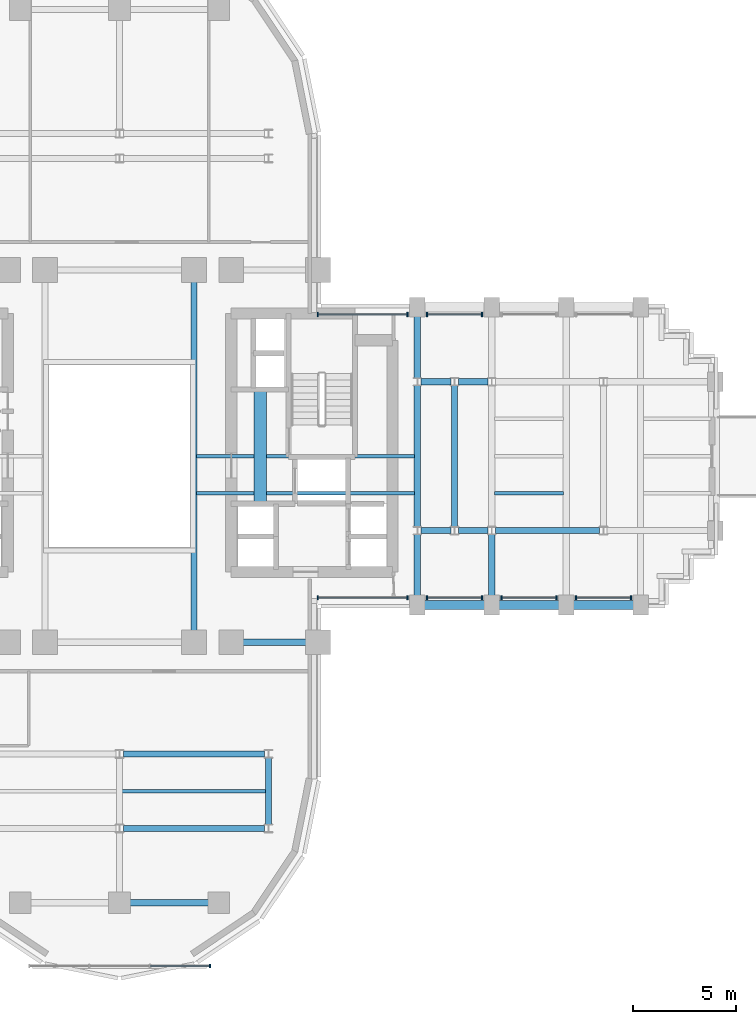
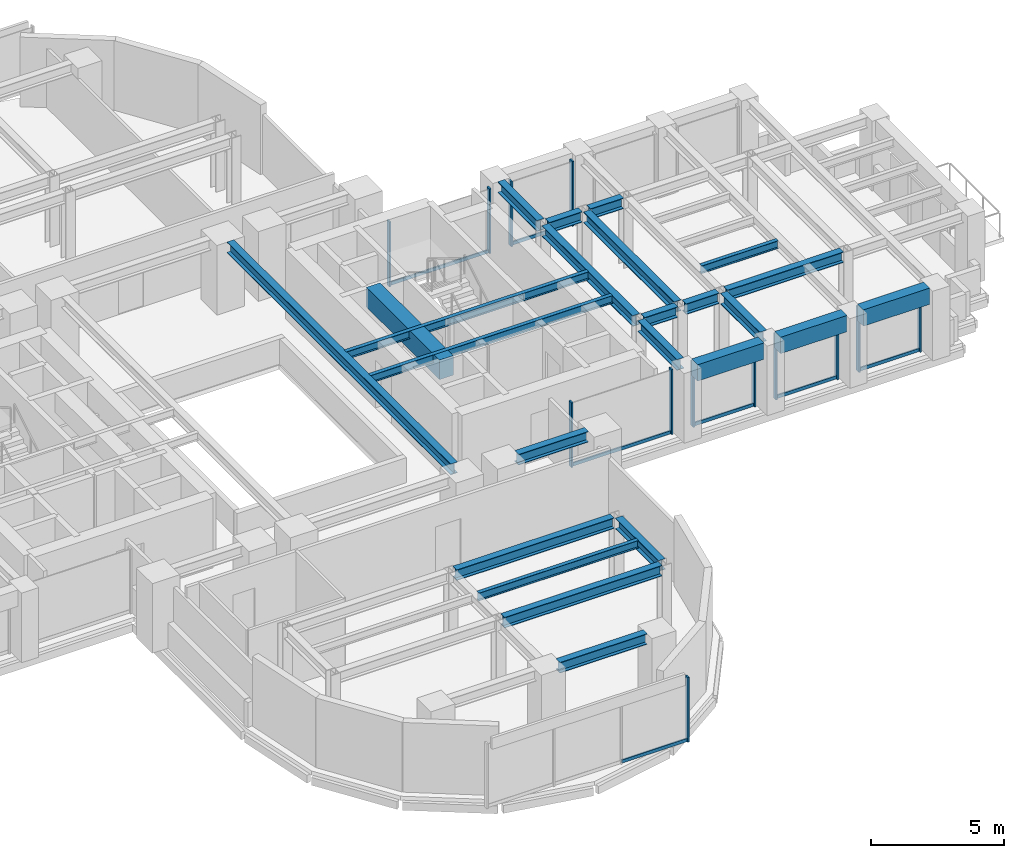
# One storey, part 5 of 15: 24 beams, 20 members, 7 elements without a shape of their own.
"""IFC4 building model written with IfcOpenShell, lengths in metres."""

from ifc_helpers import new_model, si_unit, direction, frame, origin, origin_2d, place, context, subcontext, project, spatial, rectangle, i_section, extrude, source, transform, mapped, material, material_profile, profile_set, type_object, element, aggregate, save


model = new_model("IFC4")

# Units and contexts
model_context = context("Model", 3, precision=1e-05, world=origin(), true_north=direction((0.0, 1.0)))
body_context = subcontext(model_context, "Body", "Model", "MODEL_VIEW")
ifc_project = project(units=[si_unit("LENGTHUNIT", "METRE"), si_unit("AREAUNIT", "SQUARE_METRE"), si_unit("VOLUMEUNIT", "CUBIC_METRE"), si_unit("PLANEANGLEUNIT", "RADIAN"), si_unit("MASSUNIT", "GRAM", prefix="KILO")], contexts=[model_context])

# Site, building, storey
site_placement = place(None, origin())
site = spatial("IfcSite", under=ifc_project, at=site_placement, CompositionType="ELEMENT")
building_placement = place(site_placement, origin())
building = spatial("IfcBuilding", under=site, at=building_placement, Name="Keilestroom Media Tower", CompositionType="ELEMENT")
storey_placement = place(building_placement, frame((0.0, 0.0, 47.60009765625)))
storey = spatial("IfcBuildingStorey", under=building, at=storey_placement, Name="L11", CompositionType="ELEMENT", Elevation=47.60009765625)

# Beams
ifc_material_1 = material(Name="Concrete C70/85", Category="concrete")
ifc_material_profile_1 = material_profile(ifc_material_1, rectangle(XDim=0.60009765625, YDim=0.89990234375, at=origin_2d()), Name="RC 600x900")
ifc_profile_set_1 = profile_set([ifc_material_profile_1], Name="Concrete C70/85")
beam_type_1 = type_object("IfcBeamType", Name="Core-Coupling-Lintel-Beam-RC-600x900", PredefinedType="LINTEL", material=ifc_profile_set_1)
shared_shape_1 = source(origin(), body_context, "Body", "SweptSolid", [
    extrude(rectangle(XDim=0.60009765625, YDim=0.89990234375, at=origin_2d()), origin(), (0.0, 0.0, 1.0), 5.52001953125),
])
beam_1_placement = place(storey_placement, frame((6.800048828125, -2.300048828125, 2.75), z_axis=(0.0, 1.0, 0.0), x_axis=(-1.0, 0.0, 0.0)))
element("IfcBeam", 1, at=beam_1_placement, inside=storey, type_object=beam_type_1, Name="L11 Beam CLB-1 CLB-L11-E", PredefinedType="LINTEL", context=body_context, shape_type="MappedRepresentation", body=[
    mapped(shared_shape_1, transform((0.0, 0.0, 0.0), x_axis=(1.0, 0.0, 0.0), y_axis=(0.0, 1.0, 0.0), z_axis=(0.0, 0.0, 1.0), scale=1.0)),
])
ifc_material_2 = material(Name="Precast concrete C40/50", Category="concrete")
ifc_material_profile_2 = material_profile(ifc_material_2, rectangle(XDim=0.449951171875, YDim=0.75, at=origin_2d()), Name="PC 450x750")
ifc_profile_set_2 = profile_set([ifc_material_profile_2], Name="Precast concrete C40/50")
beam_type_2 = type_object("IfcBeamType", Name="Perimeter-Spandrel-Beam-PC-450x750", PredefinedType="SPANDREL", material=ifc_profile_set_2)
shared_shape_2 = source(origin(), body_context, "Body", "SweptSolid", [
    extrude(rectangle(XDim=0.449951171875, YDim=0.75, at=origin_2d()), origin(), (0.0, 0.0, 1.0), 2.889892578125),
])
beam_2_placement = place(storey_placement, frame((21.955078125, -7.199951171875, 2.824951171875), z_axis=(1.0, 0.0, 0.0), x_axis=(0.0, 1.0, 0.0)))
element("IfcBeam", 2, at=beam_2_placement, inside=storey, type_object=beam_type_2, Name="L11 Beam SPB-1 BM-L11-EW-017", PredefinedType="SPANDREL", context=body_context, shape_type="MappedRepresentation", body=[
    mapped(shared_shape_2, transform((0.0, 0.0, 0.0), x_axis=(1.0, 0.0, 0.0), y_axis=(0.0, 1.0, 0.0), z_axis=(0.0, 0.0, 1.0), scale=1.0)),
])
shared_shape_3 = source(origin(), body_context, "Body", "SweptSolid", [
    extrude(rectangle(XDim=0.449951171875, YDim=0.75, at=origin_2d()), origin(), (0.0, 0.0, 1.0), 2.89013671875),
])
for number, where, z_axis, x_axis, name in (
    (3, (14.7548828125, -7.199951171875, 2.824951171875), (1.0, 0.0, 0.0), (0.0, 1.0, 0.0), "L11 Beam SPB-1 BM-L11-EW-015"),
    (4, (18.35498046875, -7.199951171875, 2.824951171875), (1.0, 0.0, 0.0), (0.0, 1.0, 0.0), "L11 Beam SPB-1 BM-L11-EW-016"),
):
    element("IfcBeam", number, at=place(storey_placement, frame(where, z_axis=z_axis, x_axis=x_axis)), inside=storey, type_object=beam_type_2, Name=name, PredefinedType="SPANDREL", context=body_context, shape_type="MappedRepresentation", body=[
        mapped(shared_shape_3, transform((0.0, 0.0, 0.0), x_axis=(1.0, 0.0, 0.0), y_axis=(0.0, 1.0, 0.0), z_axis=(0.0, 0.0, 1.0), scale=1.0)),
    ])
ifc_material_3 = material(Name="Steel S355", Category="steel")
ifc_material_profile_3 = material_profile(ifc_material_3, i_section(OverallWidth=0.300048828125, OverallDepth=0.5, WebThickness=0.012451171875, FlangeThickness=0.028076171875, at=origin_2d()), Name="HEB 500")
ifc_profile_set_3 = profile_set([ifc_material_profile_3], Name="Steel S355")
beam_type_3 = type_object("IfcBeamType", Name="Primary-Structural-Girder-HEB-500", PredefinedType="BEAM", material=ifc_profile_set_3)
shared_shape_4 = source(origin(), body_context, "Body", "SweptSolid", [
    extrude(i_section(OverallWidth=0.300048828125, OverallDepth=0.5, WebThickness=0.012451171875, FlangeThickness=0.028076171875, at=origin_2d()), origin(), (0.0, 0.0, 1.0), 6.8330078125),
])
for number, where, z_axis, x_axis, name in (
    (5, (14.39990234375, -3.41650390625, 2.949951171875), (0.0, 1.0, 0.0), (-1.0, 0.0, 0.0), "L11 Beam BG-6 BM-L11-NS-077"),
    (6, (16.199951171875, -3.41650390625, 2.949951171875), (0.0, 1.0, 0.0), (-1.0, 0.0, 0.0), "L11 Beam BG-6 BM-L11-NS-079"),
):
    element("IfcBeam", number, at=place(storey_placement, frame(where, z_axis=z_axis, x_axis=x_axis)), inside=storey, type_object=beam_type_3, Name=name, PredefinedType="BEAM", context=body_context, shape_type="MappedRepresentation", body=[
        mapped(shared_shape_4, transform((0.0, 0.0, 0.0), x_axis=(1.0, 0.0, 0.0), y_axis=(0.0, 1.0, 0.0), z_axis=(0.0, 0.0, 1.0), scale=1.0)),
    ])
shared_shape_5 = source(origin(), body_context, "Body", "SweptSolid", [
    extrude(i_section(OverallWidth=0.300048828125, OverallDepth=0.5, WebThickness=0.012451171875, FlangeThickness=0.028076171875, at=origin_2d()), origin(), (0.0, 0.0, 1.0), 2.961669921875),
])
for number, where, z_axis, x_axis, name in (
    (7, (14.39990234375, -6.7451171875, 2.949951171875), (0.0, 1.0, 0.0), (-1.0, 0.0, 0.0), "L11 Beam BG-6 BM-L11-NS-076"),
    (8, (14.39990234375, 3.783447265625, 2.949951171875), (0.0, 1.0, 0.0), (-1.0, 0.0, 0.0), "L11 Beam BG-6 BM-L11-NS-078"),
    (9, (18.0, -6.7451171875, 2.949951171875), (0.0, 1.0, 0.0), (-1.0, 0.0, 0.0), "L11 Beam BG-6 BM-L11-NS-080"),
):
    element("IfcBeam", number, at=place(storey_placement, frame(where, z_axis=z_axis, x_axis=x_axis)), inside=storey, type_object=beam_type_3, Name=name, PredefinedType="BEAM", context=body_context, shape_type="MappedRepresentation", body=[
        mapped(shared_shape_5, transform((0.0, 0.0, 0.0), x_axis=(1.0, 0.0, 0.0), y_axis=(0.0, 1.0, 0.0), z_axis=(0.0, 0.0, 1.0), scale=1.0)),
    ])
shared_shape_6 = source(origin(), body_context, "Body", "SweptSolid", [
    extrude(i_section(OverallWidth=0.300048828125, OverallDepth=0.5, WebThickness=0.012451171875, FlangeThickness=0.028076171875, at=origin_2d()), origin(), (0.0, 0.0, 1.0), 3.23291015625),
])
beam_3_placement = place(storey_placement, frame((7.199951171875, -17.81640625, 2.949951171875), z_axis=(0.0, 1.0, 0.0), x_axis=(-1.0, 0.0, 0.0)))
element("IfcBeam", 10, at=beam_3_placement, inside=storey, type_object=beam_type_3, Name="L11 Beam BG-6 BM-L11-NS-073", PredefinedType="BEAM", context=body_context, shape_type="MappedRepresentation", body=[
    mapped(shared_shape_6, transform((0.0, 0.0, 0.0), x_axis=(1.0, 0.0, 0.0), y_axis=(0.0, 1.0, 0.0), z_axis=(0.0, 0.0, 1.0), scale=1.0)),
])
shared_shape_7 = source(origin(), body_context, "Body", "SweptSolid", [
    extrude(i_section(OverallWidth=0.300048828125, OverallDepth=0.5, WebThickness=0.012451171875, FlangeThickness=0.028076171875, at=origin_2d()), origin(), (0.0, 0.0, 1.0), 16.83984375),
])
beam_4_placement = place(storey_placement, frame((3.60009765625, -8.419921875, 2.949951171875), z_axis=(0.0, 1.0, 0.0), x_axis=(-1.0, 0.0, 0.0)))
element("IfcBeam", 11, at=beam_4_placement, inside=storey, type_object=beam_type_3, Name="L11 Beam BG-6 BM-L11-NS-071", PredefinedType="BEAM", context=body_context, shape_type="MappedRepresentation", body=[
    mapped(shared_shape_7, transform((0.0, 0.0, 0.0), x_axis=(1.0, 0.0, 0.0), y_axis=(0.0, 1.0, 0.0), z_axis=(0.0, 0.0, 1.0), scale=1.0)),
])
ifc_material_profile_4 = material_profile(ifc_material_3, i_section(OverallWidth=0.300048828125, OverallDepth=0.489990234375, WebThickness=0.011962890625, FlangeThickness=0.02294921875, at=origin_2d()), Name="HEA 500")
ifc_profile_set_4 = profile_set([ifc_material_profile_4], Name="Steel S355")
beam_type_4 = type_object("IfcBeamType", Name="Primary-Structural-Girder-HEA-500", PredefinedType="BEAM", material=ifc_profile_set_4)
shared_shape_8 = source(origin(), body_context, "Body", "SweptSolid", [
    extrude(i_section(OverallWidth=0.300048828125, OverallDepth=0.489990234375, WebThickness=0.011962890625, FlangeThickness=0.02294921875, at=origin_2d()), origin(), (0.0, 0.0, 1.0), 3.7900390625),
])
beam_5_placement = place(storey_placement, frame((0.5048828125, -21.60009765625, 2.954833984375), z_axis=(1.0, 0.0, 0.0), x_axis=(0.0, 1.0, 0.0)))
element("IfcBeam", 12, at=beam_5_placement, inside=storey, type_object=beam_type_4, Name="L11 Beam BG-10 BM-L11-EW-002", PredefinedType="BEAM", context=body_context, shape_type="MappedRepresentation", body=[
    mapped(shared_shape_8, transform((0.0, 0.0, 0.0), x_axis=(1.0, 0.0, 0.0), y_axis=(0.0, 1.0, 0.0), z_axis=(0.0, 0.0, 1.0), scale=1.0)),
])
shared_shape_9 = source(origin(), body_context, "Body", "SweptSolid", [
    extrude(i_section(OverallWidth=0.300048828125, OverallDepth=0.489990234375, WebThickness=0.011962890625, FlangeThickness=0.02294921875, at=origin_2d()), origin(), (0.0, 0.0, 1.0), 6.836181640625),
])
for number, where, z_axis, x_axis, name in (
    (13, (0.181884765625, -18.0, 2.954833984375), (1.0, 0.0, 0.0), (0.0, 1.0, 0.0), "L11 Beam BG-10 BM-L11-EW-004"),
    (14, (0.181884765625, -14.39990234375, 2.954833984375), (1.0, 0.0, 0.0), (0.0, 1.0, 0.0), "L11 Beam BG-10 BM-L11-EW-006"),
):
    element("IfcBeam", number, at=place(storey_placement, frame(where, z_axis=z_axis, x_axis=x_axis)), inside=storey, type_object=beam_type_4, Name=name, PredefinedType="BEAM", context=body_context, shape_type="MappedRepresentation", body=[
        mapped(shared_shape_9, transform((0.0, 0.0, 0.0), x_axis=(1.0, 0.0, 0.0), y_axis=(0.0, 1.0, 0.0), z_axis=(0.0, 0.0, 1.0), scale=1.0)),
    ])
shared_shape_10 = source(origin(), body_context, "Body", "SweptSolid", [
    extrude(i_section(OverallWidth=0.300048828125, OverallDepth=0.489990234375, WebThickness=0.011962890625, FlangeThickness=0.02294921875, at=origin_2d()), origin(), (0.0, 0.0, 1.0), 3.0400390625),
])
beam_6_placement = place(storey_placement, frame((5.97998046875, -9.0, 2.954833984375), z_axis=(1.0, 0.0, 0.0), x_axis=(0.0, 1.0, 0.0)))
element("IfcBeam", 15, at=beam_6_placement, inside=storey, type_object=beam_type_4, Name="L11 Beam BG-10 BM-L11-EW-011", PredefinedType="BEAM", context=body_context, shape_type="MappedRepresentation", body=[
    mapped(shared_shape_10, transform((0.0, 0.0, 0.0), x_axis=(1.0, 0.0, 0.0), y_axis=(0.0, 1.0, 0.0), z_axis=(0.0, 0.0, 1.0), scale=1.0)),
])
shared_shape_11 = source(origin(), body_context, "Body", "SweptSolid", [
    extrude(i_section(OverallWidth=0.300048828125, OverallDepth=0.489990234375, WebThickness=0.011962890625, FlangeThickness=0.02294921875, at=origin_2d()), origin(), (0.0, 0.0, 1.0), 5.0361328125),
])
beam_7_placement = place(storey_placement, frame((18.181884765625, -3.60009765625, 2.954833984375), z_axis=(1.0, 0.0, 0.0), x_axis=(0.0, 1.0, 0.0)))
element("IfcBeam", 16, at=beam_7_placement, inside=storey, type_object=beam_type_4, Name="L11 Beam BG-10 BM-L11-EW-024", PredefinedType="BEAM", context=body_context, shape_type="MappedRepresentation", body=[
    mapped(shared_shape_11, transform((0.0, 0.0, 0.0), x_axis=(1.0, 0.0, 0.0), y_axis=(0.0, 1.0, 0.0), z_axis=(0.0, 0.0, 1.0), scale=1.0)),
])
shared_shape_12 = source(origin(), body_context, "Body", "SweptSolid", [
    extrude(i_section(OverallWidth=0.300048828125, OverallDepth=0.489990234375, WebThickness=0.011962890625, FlangeThickness=0.02294921875, at=origin_2d()), origin(), (0.0, 0.0, 1.0), 1.43603515625),
])
for number, where, z_axis, x_axis, name in (
    (17, (14.58203125, -3.60009765625, 2.954833984375), (1.0, 0.0, 0.0), (0.0, 1.0, 0.0), "L11 Beam BG-10 BM-L11-EW-022"),
    (18, (16.382080078125, -3.60009765625, 2.954833984375), (1.0, 0.0, 0.0), (0.0, 1.0, 0.0), "L11 Beam BG-10 BM-L11-EW-023"),
    (19, (14.58203125, 3.60009765625, 2.954833984375), (1.0, 0.0, 0.0), (0.0, 1.0, 0.0), "L11 Beam BG-10 BM-L11-EW-030"),
    (20, (16.382080078125, 3.60009765625, 2.954833984375), (1.0, 0.0, 0.0), (0.0, 1.0, 0.0), "L11 Beam BG-10 BM-L11-EW-031"),
):
    element("IfcBeam", number, at=place(storey_placement, frame(where, z_axis=z_axis, x_axis=x_axis)), inside=storey, type_object=beam_type_4, Name=name, PredefinedType="BEAM", context=body_context, shape_type="MappedRepresentation", body=[
        mapped(shared_shape_12, transform((0.0, 0.0, 0.0), x_axis=(1.0, 0.0, 0.0), y_axis=(0.0, 1.0, 0.0), z_axis=(0.0, 0.0, 1.0), scale=1.0)),
    ])
ifc_material_profile_5 = material_profile(ifc_material_3, i_section(OverallWidth=0.169921875, OverallDepth=0.360107421875, WebThickness=0.008056640625, FlangeThickness=0.0126953125, at=origin_2d()), Name="IPE 360")
ifc_profile_set_5 = profile_set([ifc_material_profile_5], Name="Steel S355")
beam_type_5 = type_object("IfcBeamType", Name="Secondary-Floor-Joist-IPE-360", PredefinedType="JOIST", material=ifc_profile_set_5)
shared_shape_13 = source(origin(), body_context, "Body", "SweptSolid", [
    extrude(i_section(OverallWidth=0.169921875, OverallDepth=0.360107421875, WebThickness=0.008056640625, FlangeThickness=0.0126953125, at=origin_2d()), origin(), (0.0, 0.0, 1.0), 6.940185546875),
])
beam_8_placement = place(storey_placement, frame((0.1298828125, -16.199951171875, 3.02001953125), z_axis=(1.0, 0.0, 0.0), x_axis=(0.0, 1.0, 0.0)))
element("IfcBeam", 21, at=beam_8_placement, inside=storey, type_object=beam_type_5, Name="L11 Beam BJ-5 JST-L11-088", PredefinedType="JOIST", context=body_context, shape_type="MappedRepresentation", body=[
    mapped(shared_shape_13, transform((0.0, 0.0, 0.0), x_axis=(1.0, 0.0, 0.0), y_axis=(0.0, 1.0, 0.0), z_axis=(0.0, 0.0, 1.0), scale=1.0)),
])
shared_shape_14 = source(origin(), body_context, "Body", "SweptSolid", [
    extrude(i_section(OverallWidth=0.169921875, OverallDepth=0.360107421875, WebThickness=0.008056640625, FlangeThickness=0.0126953125, at=origin_2d()), origin(), (0.0, 0.0, 1.0), 3.340087890625),
])
beam_9_placement = place(storey_placement, frame((18.1298828125, -1.800048828125, 3.02001953125), z_axis=(1.0, 0.0, 0.0), x_axis=(0.0, 1.0, 0.0)))
element("IfcBeam", 22, at=beam_9_placement, inside=storey, type_object=beam_type_5, Name="L11 Beam BJ-5 JST-L11-094", PredefinedType="JOIST", context=body_context, shape_type="MappedRepresentation", body=[
    mapped(shared_shape_14, transform((0.0, 0.0, 0.0), x_axis=(1.0, 0.0, 0.0), y_axis=(0.0, 1.0, 0.0), z_axis=(0.0, 0.0, 1.0), scale=1.0)),
])
shared_shape_15 = source(origin(), body_context, "Body", "SweptSolid", [
    extrude(i_section(OverallWidth=0.169921875, OverallDepth=0.360107421875, WebThickness=0.008056640625, FlangeThickness=0.0126953125, at=origin_2d()), origin(), (0.0, 0.0, 1.0), 10.5400390625),
])
for number, where, z_axis, x_axis, name in (
    (23, (3.72998046875, -1.800048828125, 3.02001953125), (1.0, 0.0, 0.0), (0.0, 1.0, 0.0), "L11 Beam BJ-5 JST-L11-093"),
    (24, (3.72998046875, 0.0, 3.02001953125), (1.0, 0.0, 0.0), (0.0, 1.0, 0.0), "L11 Beam BJ-5 JST-L11-100"),
):
    element("IfcBeam", number, at=place(storey_placement, frame(where, z_axis=z_axis, x_axis=x_axis)), inside=storey, type_object=beam_type_5, Name=name, PredefinedType="JOIST", context=body_context, shape_type="MappedRepresentation", body=[
        mapped(shared_shape_15, transform((0.0, 0.0, 0.0), x_axis=(1.0, 0.0, 0.0), y_axis=(0.0, 1.0, 0.0), z_axis=(0.0, 0.0, 1.0), scale=1.0)),
    ])

# Curtain wall, members
ifc_material_4 = material(Name="Anodised Aluminium Alloy", Category="aluminium")
curtain_wall_type_1 = type_object("IfcCurtainWallType", Name="Unitised-Curtain-Wall-CW-1", PredefinedType="NOTDEFINED", material=ifc_material_4)
curtain_wall_1_placement = place(storey_placement, origin())
curtain_wall_1 = element("IfcCurtainWall", 25, at=curtain_wall_1_placement, inside=storey, type_object=curtain_wall_type_1, Name="L11 Curtain Wall CW-1 CW-L11-NE-1", PredefinedType="NOTDEFINED")
ifc_material_profile_6 = material_profile(ifc_material_4, rectangle(XDim=0.070068359375, YDim=0.199951171875, at=origin_2d()), Name="ALU MULLION 70x200")
ifc_profile_set_6 = profile_set([ifc_material_profile_6], Name="Anodised Aluminium Alloy")
member_type_1 = type_object("IfcMemberType", Name="Curtain-Wall-Mullion-CW-1", PredefinedType="MULLION", material=ifc_profile_set_6)
shared_shape_16 = source(origin(), body_context, "Body", "SweptSolid", [
    extrude(rectangle(XDim=0.070068359375, YDim=0.199951171875, at=origin_2d()), origin(), (0.0, 0.0, 1.0), 2.97998046875),
])
member_1_placement = place(storey_placement, frame((9.5849609375, 6.85009765625, 0.0), z_axis=(0.0, 0.0, 1.0), x_axis=(1.0, 0.0, 0.0)))
member_1 = element("IfcMember", 26, at=member_1_placement, type_object=member_type_1, Name="CW-1 Mullion 00", PredefinedType="MULLION", context=body_context, shape_type="MappedRepresentation", body=[
    mapped(shared_shape_16, transform((0.0, 0.0, 0.0), x_axis=(1.0, 0.0, 0.0), y_axis=(0.0, 1.0, 0.0), z_axis=(0.0, 0.0, 1.0), scale=1.0)),
])
member_2_placement = place(storey_placement, frame((13.929931640625, 6.85009765625, 0.0), z_axis=(0.0, 0.0, 1.0), x_axis=(1.0, 0.0, 0.0)))
member_2 = element("IfcMember", 27, at=member_2_placement, type_object=member_type_1, Name="CW-1 Mullion 01", PredefinedType="MULLION", context=body_context, shape_type="MappedRepresentation", body=[
    mapped(shared_shape_16, transform((0.0, 0.0, 0.0), x_axis=(1.0, 0.0, 0.0), y_axis=(0.0, 1.0, 0.0), z_axis=(0.0, 0.0, 1.0), scale=1.0)),
])

curtain_wall_2_placement = place(storey_placement, origin())
curtain_wall_2 = element("IfcCurtainWall", 28, at=curtain_wall_2_placement, inside=storey, type_object=curtain_wall_type_1, Name="L11 Curtain Wall CW-1 CW-L11-NE-2", PredefinedType="NOTDEFINED")
member_3_placement = place(storey_placement, frame((14.8701171875, 6.85009765625, 0.0), z_axis=(0.0, 0.0, 1.0), x_axis=(1.0, 0.0, 0.0)))
member_3 = element("IfcMember", 29, at=member_3_placement, type_object=member_type_1, Name="CW-1 Mullion 00", PredefinedType="MULLION", context=body_context, shape_type="MappedRepresentation", body=[
    mapped(shared_shape_16, transform((0.0, 0.0, 0.0), x_axis=(1.0, 0.0, 0.0), y_axis=(0.0, 1.0, 0.0), z_axis=(0.0, 0.0, 1.0), scale=1.0)),
])
member_4_placement = place(storey_placement, frame((17.530029296875, 6.85009765625, 0.0), z_axis=(0.0, 0.0, 1.0), x_axis=(1.0, 0.0, 0.0)))
member_4 = element("IfcMember", 30, at=member_4_placement, type_object=member_type_1, Name="CW-1 Mullion 01", PredefinedType="MULLION", context=body_context, shape_type="MappedRepresentation", body=[
    mapped(shared_shape_16, transform((0.0, 0.0, 0.0), x_axis=(1.0, 0.0, 0.0), y_axis=(0.0, 1.0, 0.0), z_axis=(0.0, 0.0, 1.0), scale=1.0)),
])

curtain_wall_3_placement = place(storey_placement, origin())
curtain_wall_3 = element("IfcCurtainWall", 31, at=curtain_wall_3_placement, inside=storey, type_object=curtain_wall_type_1, Name="L11 Curtain Wall CW-1 CW-L11-SE-1", PredefinedType="NOTDEFINED")
member_5_placement = place(storey_placement, frame((9.5849609375, -6.85009765625, 0.0), z_axis=(0.0, 0.0, 1.0), x_axis=(1.0, 0.0, 0.0)))
member_5 = element("IfcMember", 32, at=member_5_placement, type_object=member_type_1, Name="CW-1 Mullion 00", PredefinedType="MULLION", context=body_context, shape_type="MappedRepresentation", body=[
    mapped(shared_shape_16, transform((0.0, 0.0, 0.0), x_axis=(1.0, 0.0, 0.0), y_axis=(0.0, 1.0, 0.0), z_axis=(0.0, 0.0, 1.0), scale=1.0)),
])
member_6_placement = place(storey_placement, frame((13.929931640625, -6.85009765625, 0.0), z_axis=(0.0, 0.0, 1.0), x_axis=(1.0, 0.0, 0.0)))
member_6 = element("IfcMember", 33, at=member_6_placement, type_object=member_type_1, Name="CW-1 Mullion 01", PredefinedType="MULLION", context=body_context, shape_type="MappedRepresentation", body=[
    mapped(shared_shape_16, transform((0.0, 0.0, 0.0), x_axis=(1.0, 0.0, 0.0), y_axis=(0.0, 1.0, 0.0), z_axis=(0.0, 0.0, 1.0), scale=1.0)),
])

curtain_wall_4_placement = place(storey_placement, origin())
curtain_wall_4 = element("IfcCurtainWall", 34, at=curtain_wall_4_placement, inside=storey, type_object=curtain_wall_type_1, Name="L11 Curtain Wall CW-1 CW-L11-SE-2", PredefinedType="NOTDEFINED")
member_7_placement = place(storey_placement, frame((14.8701171875, -6.85009765625, 0.0), z_axis=(0.0, 0.0, 1.0), x_axis=(1.0, 0.0, 0.0)))
member_7 = element("IfcMember", 35, at=member_7_placement, type_object=member_type_1, Name="CW-1 Mullion 00", PredefinedType="MULLION", context=body_context, shape_type="MappedRepresentation", body=[
    mapped(shared_shape_16, transform((0.0, 0.0, 0.0), x_axis=(1.0, 0.0, 0.0), y_axis=(0.0, 1.0, 0.0), z_axis=(0.0, 0.0, 1.0), scale=1.0)),
])
member_8_placement = place(storey_placement, frame((17.530029296875, -6.85009765625, 0.0), z_axis=(0.0, 0.0, 1.0), x_axis=(1.0, 0.0, 0.0)))
member_8 = element("IfcMember", 36, at=member_8_placement, type_object=member_type_1, Name="CW-1 Mullion 01", PredefinedType="MULLION", context=body_context, shape_type="MappedRepresentation", body=[
    mapped(shared_shape_16, transform((0.0, 0.0, 0.0), x_axis=(1.0, 0.0, 0.0), y_axis=(0.0, 1.0, 0.0), z_axis=(0.0, 0.0, 1.0), scale=1.0)),
])

curtain_wall_5_placement = place(storey_placement, origin())
curtain_wall_5 = element("IfcCurtainWall", 37, at=curtain_wall_5_placement, inside=storey, type_object=curtain_wall_type_1, Name="L11 Curtain Wall CW-1 CW-L11-SE-3", PredefinedType="NOTDEFINED")
member_9_placement = place(storey_placement, frame((18.469970703125, -6.85009765625, 0.0), z_axis=(0.0, 0.0, 1.0), x_axis=(1.0, 0.0, 0.0)))
member_9 = element("IfcMember", 38, at=member_9_placement, type_object=member_type_1, Name="CW-1 Mullion 00", PredefinedType="MULLION", context=body_context, shape_type="MappedRepresentation", body=[
    mapped(shared_shape_16, transform((0.0, 0.0, 0.0), x_axis=(1.0, 0.0, 0.0), y_axis=(0.0, 1.0, 0.0), z_axis=(0.0, 0.0, 1.0), scale=1.0)),
])
member_10_placement = place(storey_placement, frame((21.1298828125, -6.85009765625, 0.0), z_axis=(0.0, 0.0, 1.0), x_axis=(1.0, 0.0, 0.0)))
member_10 = element("IfcMember", 39, at=member_10_placement, type_object=member_type_1, Name="CW-1 Mullion 01", PredefinedType="MULLION", context=body_context, shape_type="MappedRepresentation", body=[
    mapped(shared_shape_16, transform((0.0, 0.0, 0.0), x_axis=(1.0, 0.0, 0.0), y_axis=(0.0, 1.0, 0.0), z_axis=(0.0, 0.0, 1.0), scale=1.0)),
])

curtain_wall_6_placement = place(storey_placement, origin())
curtain_wall_6 = element("IfcCurtainWall", 40, at=curtain_wall_6_placement, inside=storey, type_object=curtain_wall_type_1, Name="L11 Curtain Wall CW-1 CW-L11-SE-4", PredefinedType="NOTDEFINED")
member_11_placement = place(storey_placement, frame((22.070068359375, -6.85009765625, 0.0), z_axis=(0.0, 0.0, 1.0), x_axis=(1.0, 0.0, 0.0)))
member_11 = element("IfcMember", 41, at=member_11_placement, type_object=member_type_1, Name="CW-1 Mullion 00", PredefinedType="MULLION", context=body_context, shape_type="MappedRepresentation", body=[
    mapped(shared_shape_16, transform((0.0, 0.0, 0.0), x_axis=(1.0, 0.0, 0.0), y_axis=(0.0, 1.0, 0.0), z_axis=(0.0, 0.0, 1.0), scale=1.0)),
])
member_12_placement = place(storey_placement, frame((24.72998046875, -6.85009765625, 0.0), z_axis=(0.0, 0.0, 1.0), x_axis=(1.0, 0.0, 0.0)))
member_12 = element("IfcMember", 42, at=member_12_placement, type_object=member_type_1, Name="CW-1 Mullion 01", PredefinedType="MULLION", context=body_context, shape_type="MappedRepresentation", body=[
    mapped(shared_shape_16, transform((0.0, 0.0, 0.0), x_axis=(1.0, 0.0, 0.0), y_axis=(0.0, 1.0, 0.0), z_axis=(0.0, 0.0, 1.0), scale=1.0)),
])

# Member
ifc_material_profile_7 = material_profile(ifc_material_4, rectangle(XDim=0.06494140625, YDim=0.14990234375, at=origin_2d()), Name="ALU TRANSOM 65x150")
ifc_profile_set_7 = profile_set([ifc_material_profile_7], Name="Anodised Aluminium Alloy")
member_type_2 = type_object("IfcMemberType", Name="Curtain-Wall-Transom-CW-1", PredefinedType="USERDEFINED", material=ifc_profile_set_7)
shared_shape_17 = source(origin(), body_context, "Body", "SweptSolid", [
    extrude(rectangle(XDim=0.06494140625, YDim=0.14990234375, at=origin_2d()), origin(), (0.0, 0.0, 1.0), 2.593994140625),
])
member_13_placement = place(storey_placement, frame((14.903076171875, 6.85009765625, 0.074951171875), z_axis=(1.0, 0.0, 0.0), x_axis=(0.0, 1.0, 0.0)))
member_13 = element("IfcMember", 43, at=member_13_placement, type_object=member_type_2, Name="CW-1 Transom 00.1", ObjectType="TRANSOM", PredefinedType="USERDEFINED", context=body_context, shape_type="MappedRepresentation", body=[
    mapped(shared_shape_17, transform((0.0, 0.0, 0.0), x_axis=(1.0, 0.0, 0.0), y_axis=(0.0, 1.0, 0.0), z_axis=(0.0, 0.0, 1.0), scale=1.0)),
])

aggregate(curtain_wall_2, [member_3, member_4, member_13])

member_14_placement = place(storey_placement, frame((14.903076171875, -6.85009765625, 0.074951171875), z_axis=(1.0, 0.0, 0.0), x_axis=(0.0, 1.0, 0.0)))
member_14 = element("IfcMember", 44, at=member_14_placement, type_object=member_type_2, Name="CW-1 Transom 00.1", ObjectType="TRANSOM", PredefinedType="USERDEFINED", context=body_context, shape_type="MappedRepresentation", body=[
    mapped(shared_shape_17, transform((0.0, 0.0, 0.0), x_axis=(1.0, 0.0, 0.0), y_axis=(0.0, 1.0, 0.0), z_axis=(0.0, 0.0, 1.0), scale=1.0)),
])

aggregate(curtain_wall_4, [member_7, member_8, member_14])

member_15_placement = place(storey_placement, frame((18.5029296875, -6.85009765625, 0.074951171875), z_axis=(1.0, 0.0, 0.0), x_axis=(0.0, 1.0, 0.0)))
member_15 = element("IfcMember", 45, at=member_15_placement, type_object=member_type_2, Name="CW-1 Transom 00.1", ObjectType="TRANSOM", PredefinedType="USERDEFINED", context=body_context, shape_type="MappedRepresentation", body=[
    mapped(shared_shape_17, transform((0.0, 0.0, 0.0), x_axis=(1.0, 0.0, 0.0), y_axis=(0.0, 1.0, 0.0), z_axis=(0.0, 0.0, 1.0), scale=1.0)),
])

aggregate(curtain_wall_5, [member_9, member_10, member_15])

member_16_placement = place(storey_placement, frame((22.10302734375, -6.85009765625, 0.074951171875), z_axis=(1.0, 0.0, 0.0), x_axis=(0.0, 1.0, 0.0)))
member_16 = element("IfcMember", 46, at=member_16_placement, type_object=member_type_2, Name="CW-1 Transom 00.1", ObjectType="TRANSOM", PredefinedType="USERDEFINED", context=body_context, shape_type="MappedRepresentation", body=[
    mapped(shared_shape_17, transform((0.0, 0.0, 0.0), x_axis=(1.0, 0.0, 0.0), y_axis=(0.0, 1.0, 0.0), z_axis=(0.0, 0.0, 1.0), scale=1.0)),
])

aggregate(curtain_wall_6, [member_11, member_12, member_16])

shared_shape_18 = source(origin(), body_context, "Body", "SweptSolid", [
    extrude(rectangle(XDim=0.06494140625, YDim=0.14990234375, at=origin_2d()), origin(), (0.0, 0.0, 1.0), 4.279052734375),
])
member_17_placement = place(storey_placement, frame((9.617919921875, 6.85009765625, 0.074951171875), z_axis=(1.0, 0.0, 0.0), x_axis=(0.0, 1.0, 0.0)))
member_17 = element("IfcMember", 47, at=member_17_placement, type_object=member_type_2, Name="CW-1 Transom 00.1", ObjectType="TRANSOM", PredefinedType="USERDEFINED", context=body_context, shape_type="MappedRepresentation", body=[
    mapped(shared_shape_18, transform((0.0, 0.0, 0.0), x_axis=(1.0, 0.0, 0.0), y_axis=(0.0, 1.0, 0.0), z_axis=(0.0, 0.0, 1.0), scale=1.0)),
])

aggregate(curtain_wall_1, [member_1, member_2, member_17])

member_18_placement = place(storey_placement, frame((9.617919921875, -6.85009765625, 0.074951171875), z_axis=(1.0, 0.0, 0.0), x_axis=(0.0, 1.0, 0.0)))
member_18 = element("IfcMember", 48, at=member_18_placement, type_object=member_type_2, Name="CW-1 Transom 00.1", ObjectType="TRANSOM", PredefinedType="USERDEFINED", context=body_context, shape_type="MappedRepresentation", body=[
    mapped(shared_shape_18, transform((0.0, 0.0, 0.0), x_axis=(1.0, 0.0, 0.0), y_axis=(0.0, 1.0, 0.0), z_axis=(0.0, 0.0, 1.0), scale=1.0)),
])

aggregate(curtain_wall_3, [member_5, member_6, member_18])

# Curtain wall, members
curtain_wall_type_2 = type_object("IfcCurtainWallType", Name="Unitised-Curtain-Wall-CW-6", PredefinedType="NOTDEFINED", material=ifc_material_4)
curtain_wall_7_placement = place(storey_placement, origin())
curtain_wall_7 = element("IfcCurtainWall", 49, at=curtain_wall_7_placement, inside=storey, type_object=curtain_wall_type_2, Name="L11 Curtain Wall CW-6 CW-L11-LS-1", PredefinedType="NOTDEFINED")
ifc_material_profile_8 = material_profile(ifc_material_4, rectangle(XDim=0.06494140625, YDim=0.179931640625, at=origin_2d()), Name="ALU MULLION 65x180")
ifc_profile_set_8 = profile_set([ifc_material_profile_8], Name="Anodised Aluminium Alloy")
member_type_3 = type_object("IfcMemberType", Name="Curtain-Wall-Mullion-CW-6", PredefinedType="MULLION", material=ifc_profile_set_8)
shared_shape_19 = source(origin(), body_context, "Body", "SweptSolid", [
    extrude(rectangle(XDim=0.06494140625, YDim=0.179931640625, at=origin_2d()), origin(), (0.0, 0.0, 1.0), 2.97998046875),
])
member_19_placement = place(storey_placement, frame((4.367431640625, -24.64990234375, 0.0), z_axis=(0.0, 0.0, 1.0), x_axis=(1.0, 0.0, 0.0)))
member_19 = element("IfcMember", 50, at=member_19_placement, type_object=member_type_3, Name="CW-6 Mullion 03", PredefinedType="MULLION", context=body_context, shape_type="MappedRepresentation", body=[
    mapped(shared_shape_19, transform((0.0, 0.0, 0.0), x_axis=(1.0, 0.0, 0.0), y_axis=(0.0, 1.0, 0.0), z_axis=(0.0, 0.0, 1.0), scale=1.0)),
])
ifc_material_profile_9 = material_profile(ifc_material_4, rectangle(XDim=0.06494140625, YDim=0.14990234375, at=origin_2d()), Name="ALU TRANSOM 65x150")
ifc_profile_set_9 = profile_set([ifc_material_profile_9], Name="Anodised Aluminium Alloy")
member_type_4 = type_object("IfcMemberType", Name="Curtain-Wall-Transom-CW-6", PredefinedType="USERDEFINED", material=ifc_profile_set_9)
shared_shape_20 = source(origin(), body_context, "Body", "SweptSolid", [
    extrude(rectangle(XDim=0.06494140625, YDim=0.14990234375, at=origin_2d()), origin(), (0.0, 0.0, 1.0), 2.839599609375),
])
member_20_placement = place(storey_placement, frame((1.497314453125, -24.64990234375, 0.074951171875), z_axis=(1.0, 0.0, 0.0), x_axis=(0.0, 1.0, 0.0)))
member_20 = element("IfcMember", 51, at=member_20_placement, type_object=member_type_4, Name="CW-6 Transom 02.1", ObjectType="TRANSOM", PredefinedType="USERDEFINED", context=body_context, shape_type="MappedRepresentation", body=[
    mapped(shared_shape_20, transform((0.0, 0.0, 0.0), x_axis=(1.0, 0.0, 0.0), y_axis=(0.0, 1.0, 0.0), z_axis=(0.0, 0.0, 1.0), scale=1.0)),
])
aggregate(curtain_wall_7, [member_19, member_20])

save(model, "model.ifc")
